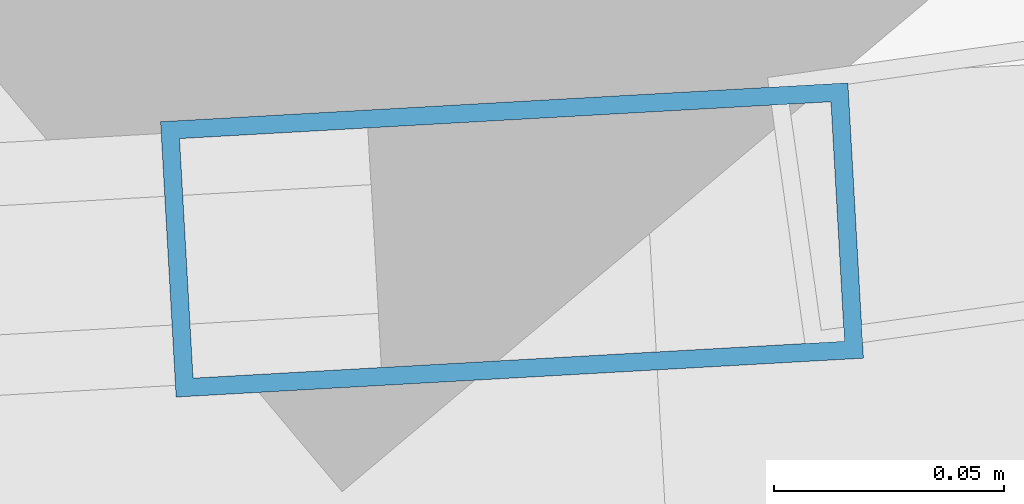
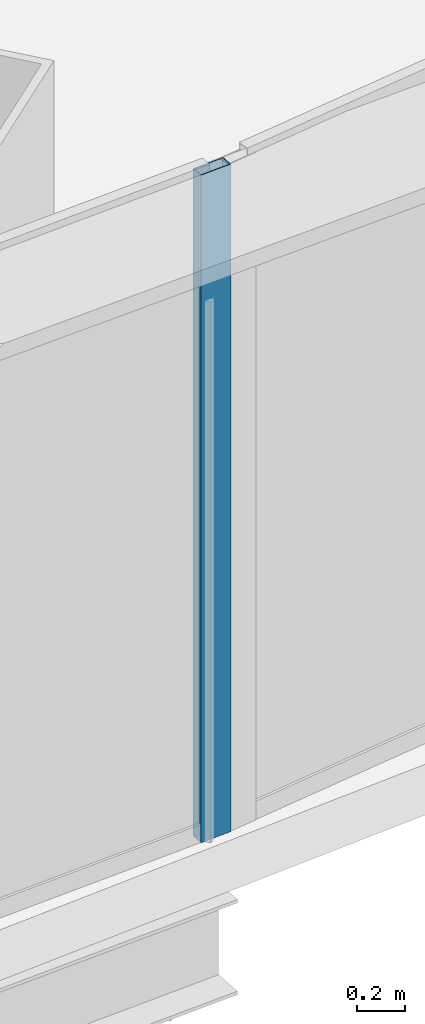
# One storey, part 14 of 42: 1 member, 1 element without a shape of its own.
"""IFC4 building model written with IfcOpenShell, lengths in metres."""

from ifc_helpers import new_model, si_unit, direction, frame, origin, origin_2d, place, context, subcontext, project, spatial, hollow_rectangle, extrude, source, transform, mapped, material, layer, layer_set, material_profile, profile_set, type_object, element, aggregate, save


model = new_model("IFC4")

# Units and contexts
model_context = context("Model", 3, precision=1e-05, world=origin(), true_north=direction((0.0, 1.0)))
body_context = subcontext(model_context, "Body", "Model", "MODEL_VIEW")
ifc_project = project(units=[si_unit("LENGTHUNIT", "METRE"), si_unit("AREAUNIT", "SQUARE_METRE"), si_unit("VOLUMEUNIT", "CUBIC_METRE"), si_unit("PLANEANGLEUNIT", "RADIAN"), si_unit("MASSUNIT", "GRAM", prefix="KILO"), si_unit("THERMODYNAMICTEMPERATUREUNIT", "KELVIN"), si_unit("POWERUNIT", "WATT")], contexts=[model_context])

# Site, building, storey
site_placement = place(None, origin())
site = spatial("IfcSite", under=ifc_project, at=site_placement, CompositionType="ELEMENT")
building_placement = place(site_placement, origin())
building = spatial("IfcBuilding", under=site, at=building_placement, Name="Yunzhuo Pagoda Commons", CompositionType="ELEMENT")
storey_placement = place(building_placement, frame((0.0, 0.0, 151.909912109375)))
storey = spatial("IfcBuildingStorey", under=building, at=storey_placement, Name="L38", CompositionType="ELEMENT", Elevation=151.909912109375)

# Curtain wall, member
ifc_material = material(Name="Anodized aluminium 6063-T6", Category="aluminium")
ifc_layer = layer(ifc_material, 0.14990234375)
ifc_layer_set = layer_set([ifc_layer], Name="Anodized aluminium 6063-T6")
curtain_wall_type = type_object("IfcCurtainWallType", Name="CW-MID Mid-Zone Ribbon Curtain Wall", PredefinedType="NOTDEFINED", material=ifc_layer_set)
curtain_wall_placement = place(storey_placement, origin())
curtain_wall = element("IfcCurtainWall", 1, at=curtain_wall_placement, inside=storey, type_object=curtain_wall_type, Name="L38 curtain wall CW-L38-F1B4", PredefinedType="NOTDEFINED")
ifc_material_profile = material_profile(ifc_material, hollow_rectangle(XDim=0.06005859375, YDim=0.14990234375, WallThickness=0.00390625, at=origin_2d()), Name="Anodized aluminium 6063-T6")
ifc_profile_set = profile_set([ifc_material_profile], Name="Anodized aluminium 6063-T6")
member_type = type_object("IfcMemberType", Name="CW-MID-M Mullion RHS 150x60x4", PredefinedType="MULLION", material=ifc_profile_set)
shared_shape = source(origin(), body_context, "Body", "SweptSolid", [
    extrude(hollow_rectangle(XDim=0.06005859375, YDim=0.14990234375, WallThickness=0.00390625, at=origin_2d()), origin(), (0.0, 0.0, 1.0), 3.420166015625),
])
member_placement = place(storey_placement, frame((64.44287109375, 14.067138671875, 0.0), z_axis=(0.0, 0.0, 1.0), x_axis=(-0.056459249567, 0.998404904404, 0.0)))
member = element("IfcMember", 2, at=member_placement, type_object=member_type, Name="CW mullion 2", PredefinedType="MULLION", context=body_context, shape_type="MappedRepresentation", body=[
    mapped(shared_shape, transform((0.0, 0.0, 0.0), scale=1.0)),
])
aggregate(curtain_wall, [member])

save(model, "model.ifc")
